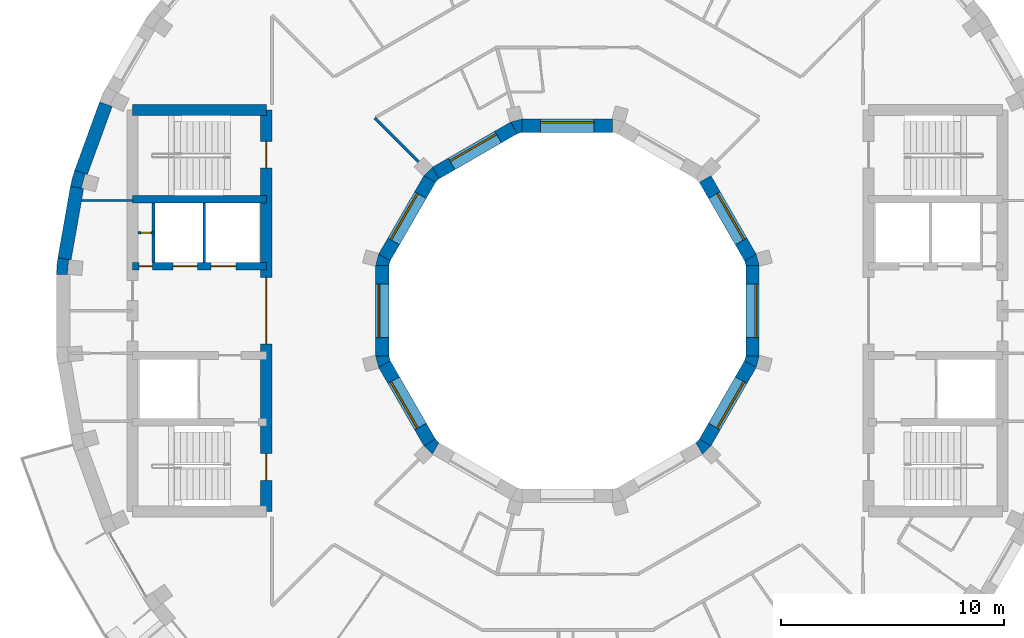
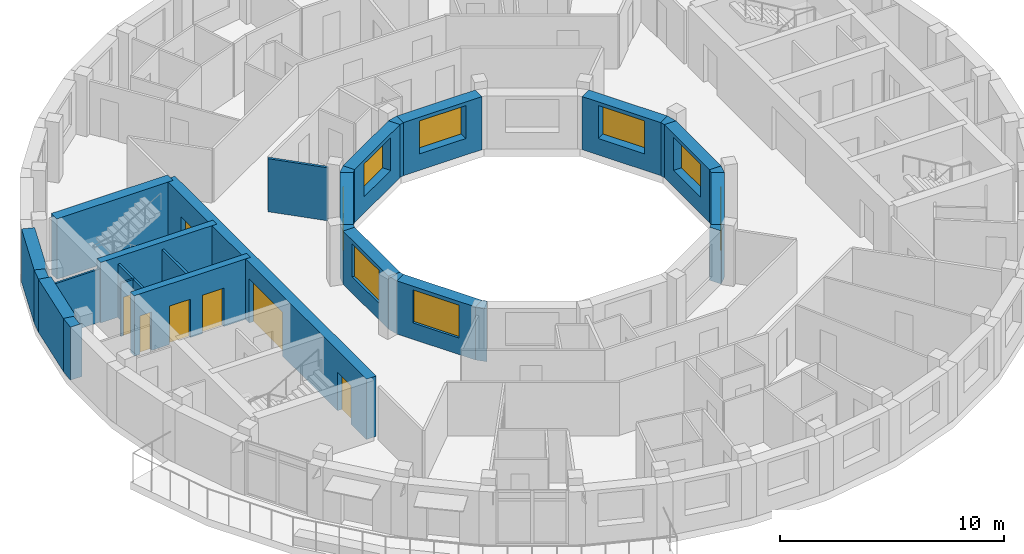
# One storey, part 6 of 12: 29 walls, 8 windows, 7 doors, 15 openings.
"""IFC4 building model written with IfcOpenShell, lengths in metres."""

from ifc_helpers import new_model, si_unit, direction, frame, frame_2d, origin, place, context, subcontext, project, spatial, polyline, rectangle, outline, extrude, material, layer, layer_set, type_object, element, fill, save


model = new_model("IFC4")

# Units and contexts
model_context = context("Model", 3, precision=1e-05, world=origin(), true_north=direction((0.0, 1.0)))
body_context = subcontext(model_context, "Body", "Model", "MODEL_VIEW")
ifc_project = project(units=[si_unit("LENGTHUNIT", "METRE"), si_unit("AREAUNIT", "SQUARE_METRE"), si_unit("VOLUMEUNIT", "CUBIC_METRE"), si_unit("PLANEANGLEUNIT", "RADIAN"), si_unit("MASSUNIT", "GRAM", prefix="KILO")], contexts=[model_context])

# Site, building, storey
site_placement = place(None, origin())
site = spatial("IfcSite", under=ifc_project, at=site_placement, CompositionType="ELEMENT")
building_placement = place(site_placement, origin())
building = spatial("IfcBuilding", under=site, at=building_placement, Name="Saqina Gate Tower", CompositionType="ELEMENT")
storey_placement = place(building_placement, frame((0.0, 0.0, 262.699951171875)))
storey = spatial("IfcBuildingStorey", under=building, at=storey_placement, Name="L75", CompositionType="ELEMENT", Elevation=262.699951171875)

# Walls
ifc_material_1 = material(Name="Brick masonry (buff)", Category="masonry")
wall_type_1 = type_object("IfcWallType", Name="BRICK PIER COPING BUFF", PredefinedType="SOLIDWALL", material=ifc_material_1)
wall_1_placement = place(storey_placement, origin())
element("IfcWall", 1, at=wall_1_placement, inside=storey, type_object=wall_type_1, Name="Pier cap L75 column 17", PredefinedType="SOLIDWALL", context=body_context, shape_type="SweptSolid", body=[
    extrude(outline(polyline([(-22.281982421875, 5.579833984375), (-21.691162109375, 5.4755859375), (-21.793212890625, 5.5029296875), (-21.625, 6.130859375), (-21.52294921875, 6.103515625), (-22.0869140625, 6.30859375), (-22.281982421875, 5.579833984375)])), origin(), (0.0, 0.0, 1.0), 2.900146484375),
])
wall_2_placement = place(storey_placement, origin())
element("IfcWall", 2, at=wall_2_placement, inside=storey, type_object=wall_type_1, Name="Pier cap L75 column 18", PredefinedType="SOLIDWALL", context=body_context, shape_type="SweptSolid", body=[
    extrude(outline(polyline([(-22.8466796875, 2.377685546875), (-22.91259765625, 1.625732421875), (-22.3125, 1.625732421875), (-22.417724609375, 1.635009765625), (-22.361083984375, 2.28271484375), (-22.255859375, 2.2734375), (-22.8466796875, 2.377685546875)])), origin(), (0.0, 0.0, 1.0), 2.900146484375),
])

# Wall, opening, door
ifc_material_2 = material(Name="Gypsum board on steel studs", Category="steel")
ifc_layer_1 = layer(ifc_material_2, 0.10009765625)
ifc_layer_set_1 = layer_set([ifc_layer_1], Name="CORE PARTITION")
wall_type_2 = type_object("IfcWallType", Name="CORE PARTITION", PredefinedType="PARTITIONING", material=ifc_layer_set_1)
wall_3_placement = place(storey_placement, frame((-18.56005859375, 3.5, 0.0), z_axis=(0.0, 0.0, 1.0), x_axis=(-1.0, 0.0, 0.0)))
wall_3 = element("IfcWall", 3, at=wall_3_placement, inside=storey, type_object=wall_type_2, Name="L75-CP-W01", PredefinedType="PARTITIONING", context=body_context, shape_type="SweptSolid", body=[
    extrude(rectangle(XDim=0.68994140625, YDim=0.10009765625, at=frame_2d((0.344970703125, 0.0))), origin(), (0.0, 0.0, 1.0), 2.900146484375),
])
opening_1_placement = place(wall_3_placement, frame((0.10009765625, 0.0, 0.0)))
opening_1 = element("IfcOpeningElement", 4, at=opening_1_placement, cuts=wall_3, Name="Opening G22-D105", PredefinedType="OPENING", context=body_context, shape_type="SweptSolid", body=[
    extrude(rectangle(XDim=0.449951171875, YDim=2.10009765625, at=frame_2d((0.22509765625, 1.050048828125))), frame((0.0, 0.06201171875, 0.0), z_axis=(0.0, -1.0, 0.0), x_axis=(1.0, 0.0, 0.0)), (0.0, 0.0, 1.0), 0.1240234375),
])
ifc_material_3 = material(Name="Steel-framed fire door leaf, EI 60", Category="steel")
door_type_1 = type_object("IfcDoorType", Name="SERVICE ROOM DOOR 450", OperationType="SINGLE_SWING_LEFT", PredefinedType="DOOR", material=ifc_material_3)
door_1_placement = place(opening_1_placement, origin())
door_1 = element("IfcDoor", 5, at=door_1_placement, inside=storey, type_object=door_type_1, Name="L75-CD-W16", OperationType="SINGLE_SWING_RIGHT", OverallHeight=2.10009765625, OverallWidth=0.449951171875, PredefinedType="DOOR", context=body_context, shape_type="SweptSolid", body=[
    extrude(rectangle(XDim=0.449951171875, YDim=2.10009765625, at=frame_2d((0.22509765625, 1.050048828125))), frame((0.0, 0.02490234375, 0.0), z_axis=(0.0, -1.0, 0.0), x_axis=(1.0, 0.0, 0.0)), (0.0, 0.0, 1.0), 0.050048828125),
])
fill(opening_1, door_1)

# Walls
wall_4_placement = place(storey_placement, frame((-19.5, 4.949951171875, 0.0), z_axis=(0.0, 0.0, 1.0), x_axis=(-1.0, 0.0, 0.0)))
element("IfcWall", 6, at=wall_4_placement, inside=storey, type_object=wall_type_2, Name="L75-CP-W02", PredefinedType="PARTITIONING", context=body_context, shape_type="SweptSolid", body=[
    extrude(rectangle(XDim=2.283935546875, YDim=0.10009765625, at=frame_2d((1.14208984375, 0.0))), origin(), (0.0, 0.0, 1.0), 2.900146484375),
])
ifc_material_4 = material(Name="Glazed ceramic tile", Category="ceramic")
ifc_layer_2 = layer(ifc_material_4, 0.60009765625)
ifc_layer_set_2 = layer_set([ifc_layer_2], Name="FW-TILE")
wall_type_3 = type_object("IfcWallType", Name="FW-TILE", PredefinedType="SOLIDWALL", material=ifc_layer_set_2)
wall_5_placement = place(storey_placement, frame((-20.692626953125, 9.26171875, 0.0), z_axis=(0.0, 0.0, 1.0), x_axis=(-0.342056509473, -0.939679383794, 0.0)))
element("IfcWall", 7, at=wall_5_placement, inside=storey, type_object=wall_type_3, Name="Facade wall L75 facet 16", PredefinedType="SOLIDWALL", context=body_context, shape_type="SweptSolid", body=[
    extrude(rectangle(XDim=3.251708984375, YDim=0.60009765625, at=frame_2d((1.6259765625, 0.0))), origin(), (0.0, 0.0, 1.0), 2.900146484375),
])
ifc_material_5 = material(Name="Glazed ceramic tile (white)", Category="ceramic")
ifc_layer_3 = layer(ifc_material_5, 0.60009765625)
ifc_layer_set_3 = layer_set([ifc_layer_3], Name="FW-TILE-WH")
wall_type_4 = type_object("IfcWallType", Name="FW-TILE-WH", PredefinedType="SOLIDWALL", material=ifc_layer_set_3)
wall_6_placement = place(storey_placement, frame((-21.986572265625, 5.52783203125, 0.0), z_axis=(0.0, 0.0, 1.0), x_axis=(-0.173656842178, -0.984806225186, 0.0)))
element("IfcWall", 8, at=wall_6_placement, inside=storey, type_object=wall_type_4, Name="Facade wall L75 facet 17", PredefinedType="SOLIDWALL", context=body_context, shape_type="SweptSolid", body=[
    extrude(rectangle(XDim=3.251708984375, YDim=0.60009765625, at=frame_2d((1.6259765625, 0.0))), origin(), (0.0, 0.0, 1.0), 2.900146484375),
])

# Wall, opening, window
ifc_material_6 = material(Name="Glazed ceramic tile", Category="ceramic")
ifc_layer_4 = layer(ifc_material_6, 0.60009765625)
ifc_layer_set_4 = layer_set([ifc_layer_4], Name="IW-TILE")
wall_type_5 = type_object("IfcWallType", Name="IW-TILE", PredefinedType="SOLIDWALL", material=ifc_layer_set_4)
wall_7_placement = place(storey_placement, frame((8.20263671875, 2.392578125, 0.0), z_axis=(0.0, 0.0, 1.0), x_axis=(-0.499994954979, 0.866028316509, 0.0)))
wall_7 = element("IfcWall", 9, at=wall_7_placement, inside=storey, type_object=wall_type_5, Name="Well wall L75 facet 1", PredefinedType="SOLIDWALL", context=body_context, shape_type="SweptSolid", body=[
    extrude(rectangle(XDim=4.05859375, YDim=0.60009765625, at=frame_2d((2.029296875, 0.0))), origin(), (0.0, 0.0, 1.0), 2.900146484375),
])
opening_2_placement = place(wall_7_placement, frame((0.829345703125, 0.0, 0.89990234375)))
opening_2 = element("IfcOpeningElement", 10, at=opening_2_placement, cuts=wall_7, Name="Opening G22-W23", PredefinedType="OPENING", context=body_context, shape_type="SweptSolid", body=[
    extrude(rectangle(XDim=2.39990234375, YDim=1.800048828125, at=frame_2d((1.199951171875, 0.89990234375))), frame((0.0, 0.31201171875, 0.0), z_axis=(0.0, -1.0, 0.0), x_axis=(1.0, 0.0, 0.0)), (0.0, 0.0, 1.0), 0.6240234375),
])
ifc_material_7 = material(Name="Aluminium glazing", Category="aluminium")
window_type = type_object("IfcWindowType", Name="WN-W", PartitioningType="SINGLE_PANEL", PredefinedType="WINDOW", material=ifc_material_7)
window_1_placement = place(opening_2_placement, origin())
window_1 = element("IfcWindow", 11, at=window_1_placement, inside=storey, type_object=window_type, Name="Well window L75 facet 1", OverallHeight=1.800048828125, OverallWidth=2.39990234375, PartitioningType="SINGLE_PANEL", PredefinedType="WINDOW", context=body_context, shape_type="SweptSolid", body=[
    extrude(rectangle(XDim=2.39990234375, YDim=1.800048828125, at=frame_2d((1.199951171875, 0.89990234375))), frame((0.0, -0.119873046875, 0.0), z_axis=(0.0, -1.0, 0.0), x_axis=(1.0, 0.0, 0.0)), (0.0, 0.0, 1.0), 0.06005859375),
])
fill(opening_2, window_1)

wall_8_placement = place(storey_placement, frame((2.029296875, 8.300048828125, 0.0), z_axis=(0.0, 0.0, 1.0), x_axis=(-1.0, 0.0, 0.0)))
wall_8 = element("IfcWall", 12, at=wall_8_placement, inside=storey, type_object=wall_type_5, Name="Well wall L75 facet 3", PredefinedType="SOLIDWALL", context=body_context, shape_type="SweptSolid", body=[
    extrude(rectangle(XDim=4.05859375, YDim=0.60009765625, at=frame_2d((2.029296875, 0.0))), origin(), (0.0, 0.0, 1.0), 2.900146484375),
])
opening_3_placement = place(wall_8_placement, frame((0.829345703125, 0.0, 0.89990234375)))
opening_3 = element("IfcOpeningElement", 13, at=opening_3_placement, cuts=wall_8, Name="Opening G22-W25", PredefinedType="OPENING", context=body_context, shape_type="SweptSolid", body=[
    extrude(rectangle(XDim=2.39990234375, YDim=1.800048828125, at=frame_2d((1.199951171875, 0.89990234375))), frame((0.0, 0.31201171875, 0.0), z_axis=(0.0, -1.0, 0.0), x_axis=(1.0, 0.0, 0.0)), (0.0, 0.0, 1.0), 0.6240234375),
])
window_2_placement = place(opening_3_placement, origin())
window_2 = element("IfcWindow", 14, at=window_2_placement, inside=storey, type_object=window_type, Name="Well window L75 facet 3", OverallHeight=1.800048828125, OverallWidth=2.39990234375, PartitioningType="SINGLE_PANEL", PredefinedType="WINDOW", context=body_context, shape_type="SweptSolid", body=[
    extrude(rectangle(XDim=2.39990234375, YDim=1.800048828125, at=frame_2d((1.199951171875, 0.89990234375))), frame((0.0, -0.119873046875, 0.0), z_axis=(0.0, -1.0, 0.0), x_axis=(1.0, 0.0, 0.0)), (0.0, 0.0, 1.0), 0.06005859375),
])
fill(opening_3, window_2)

wall_9_placement = place(storey_placement, frame((-2.392578125, 8.20263671875, 0.0), z_axis=(0.0, 0.0, 1.0), x_axis=(-0.866028316509, -0.499994954979, 0.0)))
wall_9 = element("IfcWall", 15, at=wall_9_placement, inside=storey, type_object=wall_type_5, Name="Well wall L75 facet 4", PredefinedType="SOLIDWALL", context=body_context, shape_type="SweptSolid", body=[
    extrude(rectangle(XDim=4.05859375, YDim=0.60009765625, at=frame_2d((2.029296875, 0.0))), origin(), (0.0, 0.0, 1.0), 2.900146484375),
])
opening_4_placement = place(wall_9_placement, frame((0.829345703125, 0.0, 0.89990234375)))
opening_4 = element("IfcOpeningElement", 16, at=opening_4_placement, cuts=wall_9, Name="Opening G22-W26", PredefinedType="OPENING", context=body_context, shape_type="SweptSolid", body=[
    extrude(rectangle(XDim=2.39990234375, YDim=1.800048828125, at=frame_2d((1.199951171875, 0.89990234375))), frame((0.0, 0.31201171875, 0.0), z_axis=(0.0, -1.0, 0.0), x_axis=(1.0, 0.0, 0.0)), (0.0, 0.0, 1.0), 0.6240234375),
])
window_3_placement = place(opening_4_placement, origin())
window_3 = element("IfcWindow", 17, at=window_3_placement, inside=storey, type_object=window_type, Name="Well window L75 facet 4", OverallHeight=1.800048828125, OverallWidth=2.39990234375, PartitioningType="SINGLE_PANEL", PredefinedType="WINDOW", context=body_context, shape_type="SweptSolid", body=[
    extrude(rectangle(XDim=2.39990234375, YDim=1.800048828125, at=frame_2d((1.199951171875, 0.89990234375))), frame((0.0, -0.119873046875, 0.0), z_axis=(0.0, -1.0, 0.0), x_axis=(1.0, 0.0, 0.0)), (0.0, 0.0, 1.0), 0.06005859375),
])
fill(opening_4, window_3)

wall_10_placement = place(storey_placement, frame((-6.17333984375, 5.907470703125, 0.0), z_axis=(0.0, 0.0, 1.0), x_axis=(-0.499994954979, -0.866028316509, 0.0)))
wall_10 = element("IfcWall", 18, at=wall_10_placement, inside=storey, type_object=wall_type_5, Name="Well wall L75 facet 5", PredefinedType="SOLIDWALL", context=body_context, shape_type="SweptSolid", body=[
    extrude(rectangle(XDim=4.05859375, YDim=0.60009765625, at=frame_2d((2.029296875, 0.0))), origin(), (0.0, 0.0, 1.0), 2.900146484375),
])
opening_5_placement = place(wall_10_placement, frame((0.829345703125, 0.0, 0.89990234375)))
opening_5 = element("IfcOpeningElement", 19, at=opening_5_placement, cuts=wall_10, Name="Opening G22-W27", PredefinedType="OPENING", context=body_context, shape_type="SweptSolid", body=[
    extrude(rectangle(XDim=2.39990234375, YDim=1.800048828125, at=frame_2d((1.199951171875, 0.89990234375))), frame((0.0, 0.31201171875, 0.0), z_axis=(0.0, -1.0, 0.0), x_axis=(1.0, 0.0, 0.0)), (0.0, 0.0, 1.0), 0.6240234375),
])
window_4_placement = place(opening_5_placement, origin())
window_4 = element("IfcWindow", 20, at=window_4_placement, inside=storey, type_object=window_type, Name="Well window L75 facet 5", OverallHeight=1.800048828125, OverallWidth=2.39990234375, PartitioningType="SINGLE_PANEL", PredefinedType="WINDOW", context=body_context, shape_type="SweptSolid", body=[
    extrude(rectangle(XDim=2.39990234375, YDim=1.800048828125, at=frame_2d((1.199951171875, 0.89990234375))), frame((0.0, -0.119873046875, 0.0), z_axis=(0.0, -1.0, 0.0), x_axis=(1.0, 0.0, 0.0)), (0.0, 0.0, 1.0), 0.06005859375),
])
fill(opening_5, window_4)

wall_11_placement = place(storey_placement, frame((-8.300048828125, 2.029296875, 0.0), z_axis=(0.0, 0.0, 1.0), x_axis=(0.0, -1.0, 0.0)))
wall_11 = element("IfcWall", 21, at=wall_11_placement, inside=storey, type_object=wall_type_5, Name="Well wall L75 facet 6", PredefinedType="SOLIDWALL", context=body_context, shape_type="SweptSolid", body=[
    extrude(rectangle(XDim=4.05859375, YDim=0.60009765625, at=frame_2d((2.029296875, 0.0))), origin(), (0.0, 0.0, 1.0), 2.900146484375),
])
opening_6_placement = place(wall_11_placement, frame((0.829345703125, 0.0, 0.89990234375)))
opening_6 = element("IfcOpeningElement", 22, at=opening_6_placement, cuts=wall_11, Name="Opening G22-W28", PredefinedType="OPENING", context=body_context, shape_type="SweptSolid", body=[
    extrude(rectangle(XDim=2.39990234375, YDim=1.800048828125, at=frame_2d((1.199951171875, 0.89990234375))), frame((0.0, 0.31201171875, 0.0), z_axis=(0.0, -1.0, 0.0), x_axis=(1.0, 0.0, 0.0)), (0.0, 0.0, 1.0), 0.6240234375),
])
window_5_placement = place(opening_6_placement, origin())
window_5 = element("IfcWindow", 23, at=window_5_placement, inside=storey, type_object=window_type, Name="Well window L75 facet 6", OverallHeight=1.800048828125, OverallWidth=2.39990234375, PartitioningType="SINGLE_PANEL", PredefinedType="WINDOW", context=body_context, shape_type="SweptSolid", body=[
    extrude(rectangle(XDim=2.39990234375, YDim=1.800048828125, at=frame_2d((1.199951171875, 0.89990234375))), frame((0.0, -0.119873046875, 0.0), z_axis=(0.0, -1.0, 0.0), x_axis=(1.0, 0.0, 0.0)), (0.0, 0.0, 1.0), 0.06005859375),
])
fill(opening_6, window_5)

wall_12_placement = place(storey_placement, frame((-8.20263671875, -2.392578125, 0.0), z_axis=(0.0, 0.0, 1.0), x_axis=(0.499994954979, -0.866028316509, 0.0)))
wall_12 = element("IfcWall", 24, at=wall_12_placement, inside=storey, type_object=wall_type_5, Name="Well wall L75 facet 7", PredefinedType="SOLIDWALL", context=body_context, shape_type="SweptSolid", body=[
    extrude(rectangle(XDim=4.05859375, YDim=0.60009765625, at=frame_2d((2.029296875, 0.0))), origin(), (0.0, 0.0, 1.0), 2.900146484375),
])
opening_7_placement = place(wall_12_placement, frame((0.829345703125, 0.0, 0.89990234375)))
opening_7 = element("IfcOpeningElement", 25, at=opening_7_placement, cuts=wall_12, Name="Opening G22-W29", PredefinedType="OPENING", context=body_context, shape_type="SweptSolid", body=[
    extrude(rectangle(XDim=2.39990234375, YDim=1.800048828125, at=frame_2d((1.199951171875, 0.89990234375))), frame((0.0, 0.31201171875, 0.0), z_axis=(0.0, -1.0, 0.0), x_axis=(1.0, 0.0, 0.0)), (0.0, 0.0, 1.0), 0.6240234375),
])
window_6_placement = place(opening_7_placement, origin())
window_6 = element("IfcWindow", 26, at=window_6_placement, inside=storey, type_object=window_type, Name="Well window L75 facet 7", OverallHeight=1.800048828125, OverallWidth=2.39990234375, PartitioningType="SINGLE_PANEL", PredefinedType="WINDOW", context=body_context, shape_type="SweptSolid", body=[
    extrude(rectangle(XDim=2.39990234375, YDim=1.800048828125, at=frame_2d((1.199951171875, 0.89990234375))), frame((0.0, -0.119873046875, 0.0), z_axis=(0.0, -1.0, 0.0), x_axis=(1.0, 0.0, 0.0)), (0.0, 0.0, 1.0), 0.06005859375),
])
fill(opening_7, window_6)

wall_13_placement = place(storey_placement, frame((6.17333984375, -5.907470703125, 0.0), z_axis=(0.0, 0.0, 1.0), x_axis=(0.499994954979, 0.866028316509, 0.0)))
wall_13 = element("IfcWall", 27, at=wall_13_placement, inside=storey, type_object=wall_type_5, Name="Well wall L75 facet 11", PredefinedType="SOLIDWALL", context=body_context, shape_type="SweptSolid", body=[
    extrude(rectangle(XDim=4.05859375, YDim=0.60009765625, at=frame_2d((2.029296875, 0.0))), origin(), (0.0, 0.0, 1.0), 2.900146484375),
])
opening_8_placement = place(wall_13_placement, frame((0.829345703125, 0.0, 0.89990234375)))
opening_8 = element("IfcOpeningElement", 28, at=opening_8_placement, cuts=wall_13, Name="Opening G22-W33", PredefinedType="OPENING", context=body_context, shape_type="SweptSolid", body=[
    extrude(rectangle(XDim=2.39990234375, YDim=1.800048828125, at=frame_2d((1.199951171875, 0.89990234375))), frame((0.0, 0.31201171875, 0.0), z_axis=(0.0, -1.0, 0.0), x_axis=(1.0, 0.0, 0.0)), (0.0, 0.0, 1.0), 0.6240234375),
])
window_7_placement = place(opening_8_placement, origin())
window_7 = element("IfcWindow", 29, at=window_7_placement, inside=storey, type_object=window_type, Name="Well window L75 facet 11", OverallHeight=1.800048828125, OverallWidth=2.39990234375, PartitioningType="SINGLE_PANEL", PredefinedType="WINDOW", context=body_context, shape_type="SweptSolid", body=[
    extrude(rectangle(XDim=2.39990234375, YDim=1.800048828125, at=frame_2d((1.199951171875, 0.89990234375))), frame((0.0, -0.119873046875, 0.0), z_axis=(0.0, -1.0, 0.0), x_axis=(1.0, 0.0, 0.0)), (0.0, 0.0, 1.0), 0.06005859375),
])
fill(opening_8, window_7)

wall_14_placement = place(storey_placement, frame((8.300048828125, -2.029296875, 0.0), z_axis=(0.0, 0.0, 1.0), x_axis=(0.0, 1.0, 0.0)))
wall_14 = element("IfcWall", 30, at=wall_14_placement, inside=storey, type_object=wall_type_5, Name="Well wall L75 facet 12", PredefinedType="SOLIDWALL", context=body_context, shape_type="SweptSolid", body=[
    extrude(rectangle(XDim=4.05859375, YDim=0.60009765625, at=frame_2d((2.029296875, 0.0))), origin(), (0.0, 0.0, 1.0), 2.900146484375),
])
opening_9_placement = place(wall_14_placement, frame((0.829345703125, 0.0, 0.89990234375)))
opening_9 = element("IfcOpeningElement", 31, at=opening_9_placement, cuts=wall_14, Name="Opening G22-W34", PredefinedType="OPENING", context=body_context, shape_type="SweptSolid", body=[
    extrude(rectangle(XDim=2.39990234375, YDim=1.800048828125, at=frame_2d((1.199951171875, 0.89990234375))), frame((0.0, 0.31201171875, 0.0), z_axis=(0.0, -1.0, 0.0), x_axis=(1.0, 0.0, 0.0)), (0.0, 0.0, 1.0), 0.6240234375),
])
window_8_placement = place(opening_9_placement, origin())
window_8 = element("IfcWindow", 32, at=window_8_placement, inside=storey, type_object=window_type, Name="Well window L75 facet 12", OverallHeight=1.800048828125, OverallWidth=2.39990234375, PartitioningType="SINGLE_PANEL", PredefinedType="WINDOW", context=body_context, shape_type="SweptSolid", body=[
    extrude(rectangle(XDim=2.39990234375, YDim=1.800048828125, at=frame_2d((1.199951171875, 0.89990234375))), frame((0.0, -0.119873046875, 0.0), z_axis=(0.0, -1.0, 0.0), x_axis=(1.0, 0.0, 0.0)), (0.0, 0.0, 1.0), 0.06005859375),
])
fill(opening_9, window_8)

# Walls
ifc_material_8 = material(Name="Gypsum board on steel studs, 125 mm, fire rated", Category="steel")
ifc_layer_5 = layer(ifc_material_8, 0.125)
ifc_layer_set_5 = layer_set([ifc_layer_5], Name="PARTITION EI 30 125")
wall_type_6 = type_object("IfcWallType", Name="PARTITION EI 30 125", PredefinedType="PARTITIONING", material=ifc_layer_set_5)
wall_15_placement = place(storey_placement, frame((-8.64599609375, 8.64599609375, 0.0), z_axis=(0.0, 0.0, 1.0), x_axis=(0.707106781187, -0.707106781187, 0.0)))
element("IfcWall", 33, at=wall_15_placement, inside=storey, type_object=wall_type_6, Name="PARTITION PW1-05", PredefinedType="PARTITIONING", context=body_context, shape_type="SweptSolid", body=[
    extrude(rectangle(XDim=2.784912109375, YDim=0.125, at=frame_2d((1.392578125, 0.0))), origin(), (0.0, 0.0, 1.0), 2.900146484375),
])
ifc_material_9 = material(Name="Autoclaved aerated concrete block", Category="concrete")
ifc_layer_6 = layer(ifc_material_9, 0.1201171875)
ifc_layer_set_6 = layer_set([ifc_layer_6], Name="SHAFT PARTITION")
wall_type_7 = type_object("IfcWallType", Name="SHAFT PARTITION", PredefinedType="PARTITIONING", material=ifc_layer_set_6)
for number, where, z_axis, x_axis, name in (
    (34, (-16.280029296875, 2.175048828125, 0.0), (0.0, 0.0, 1.0), (0.0, 1.0, 0.0), "L75-CP-W06"),
    (35, (-18.56005859375, 2.175048828125, 0.0), (0.0, 0.0, 1.0), (0.0, 1.0, 0.0), "L75-CP-W07"),
):
    element("IfcWall", number, at=place(storey_placement, frame(where, z_axis=z_axis, x_axis=x_axis)), inside=storey, type_object=wall_type_7, Name=name, PredefinedType="PARTITIONING", context=body_context, shape_type="SweptSolid", body=[
        extrude(rectangle(XDim=2.64990234375, YDim=0.1201171875, at=frame_2d((1.324951171875, 0.0))), origin(), (0.0, 0.0, 1.0), 2.900146484375),
    ])
ifc_material_10 = material(Name="Concrete C60/75", Category="concrete")
ifc_layer_7 = layer(ifc_material_10, 0.35009765625)
ifc_layer_set_7 = layer_set([ifc_layer_7], Name="Concrete C60/75")
wall_type_8 = type_object("IfcWallType", Name="STR-CORE WALL-D-I", PredefinedType="SHEAR", material=ifc_layer_set_7)
wall_16_placement = place(storey_placement, frame((-13.5, 5.0, 0.0), z_axis=(0.0, 0.0, 1.0), x_axis=(-1.0, 0.0, 0.0)))
element("IfcWall", 36, at=wall_16_placement, inside=storey, type_object=wall_type_8, Name="CORE WALL L75 W-X1", PredefinedType="SHEAR", context=body_context, shape_type="SweptSolid", body=[
    extrude(rectangle(XDim=6.0, YDim=0.35009765625, at=frame_2d((3.0, 0.0))), origin(), (0.0, 0.0, 1.0), 3.300048828125),
])

# Wall, openings, doors
wall_17_placement = place(storey_placement, frame((-13.5, 2.0, 0.0), z_axis=(0.0, 0.0, 1.0), x_axis=(-1.0, 0.0, 0.0)))
wall_17 = element("IfcWall", 37, at=wall_17_placement, inside=storey, type_object=wall_type_8, Name="CORE WALL L75 W-L1", PredefinedType="SHEAR", context=body_context, shape_type="SweptSolid", body=[
    extrude(rectangle(XDim=6.0, YDim=0.35009765625, at=frame_2d((3.0, 0.0))), origin(), (0.0, 0.0, 1.0), 3.300048828125),
])
opening_10_placement = place(wall_17_placement, frame((1.3701171875, 0.0, 0.0)))
opening_10 = element("IfcOpeningElement", 38, at=opening_10_placement, cuts=wall_17, Name="Opening G22-LD4", PredefinedType="OPENING", context=body_context, shape_type="SweptSolid", body=[
    extrude(rectangle(XDim=1.10009765625, YDim=2.10009765625, at=frame_2d((0.550048828125, 1.050048828125))), frame((0.0, 0.18701171875, 0.0), z_axis=(0.0, -1.0, 0.0), x_axis=(1.0, 0.0, 0.0)), (0.0, 0.0, 1.0), 0.3740234375),
])
opening_11_placement = place(wall_17_placement, frame((3.090087890625, 0.0, 0.0)))
opening_11 = element("IfcOpeningElement", 39, at=opening_11_placement, cuts=wall_17, Name="Opening G22-LD5", PredefinedType="OPENING", context=body_context, shape_type="SweptSolid", body=[
    extrude(rectangle(XDim=1.10009765625, YDim=2.10009765625, at=frame_2d((0.550048828125, 1.050048828125))), frame((0.0, 0.18701171875, 0.0), z_axis=(0.0, -1.0, 0.0), x_axis=(1.0, 0.0, 0.0)), (0.0, 0.0, 1.0), 0.3740234375),
])
opening_12_placement = place(wall_17_placement, frame((5.10498046875, 0.0, 0.0)))
opening_12 = element("IfcOpeningElement", 40, at=opening_12_placement, cuts=wall_17, Name="Opening G22-D100", PredefinedType="OPENING", context=body_context, shape_type="SweptSolid", body=[
    extrude(rectangle(XDim=0.60009765625, YDim=2.10009765625, at=frame_2d((0.300048828125, 1.050048828125))), frame((0.0, 0.18701171875, 0.0), z_axis=(0.0, -1.0, 0.0), x_axis=(1.0, 0.0, 0.0)), (0.0, 0.0, 1.0), 0.3740234375),
])
ifc_material_11 = material(Name="Stainless steel", Category="steel")
door_type_2 = type_object("IfcDoorType", Name="LANDING DOOR", OperationType="DOUBLE_DOOR_SLIDING", PredefinedType="DOOR", material=ifc_material_11)
door_2_placement = place(opening_10_placement, origin())
door_2 = element("IfcDoor", 41, at=door_2_placement, inside=storey, type_object=door_type_2, Name="LANDING DOOR HR3", OperationType="DOUBLE_DOOR_SLIDING", OverallHeight=2.10009765625, OverallWidth=1.10009765625, PredefinedType="DOOR", context=body_context, shape_type="SweptSolid", body=[
    extrude(rectangle(XDim=1.10009765625, YDim=2.10009765625, at=frame_2d((0.550048828125, 1.050048828125))), frame((0.0, 0.02490234375, 0.0), z_axis=(0.0, -1.0, 0.0), x_axis=(1.0, 0.0, 0.0)), (0.0, 0.0, 1.0), 0.050048828125),
])
fill(opening_10, door_2)
door_3_placement = place(opening_11_placement, origin())
door_3 = element("IfcDoor", 42, at=door_3_placement, inside=storey, type_object=door_type_2, Name="LANDING DOOR HR4", OperationType="DOUBLE_DOOR_SLIDING", OverallHeight=2.10009765625, OverallWidth=1.10009765625, PredefinedType="DOOR", context=body_context, shape_type="SweptSolid", body=[
    extrude(rectangle(XDim=1.10009765625, YDim=2.10009765625, at=frame_2d((0.550048828125, 1.050048828125))), frame((0.0, 0.02490234375, 0.0), z_axis=(0.0, -1.0, 0.0), x_axis=(1.0, 0.0, 0.0)), (0.0, 0.0, 1.0), 0.050048828125),
])
fill(opening_11, door_3)
ifc_material_12 = material(Name="Steel-framed fire door leaf, EI 60", Category="steel")
door_type_3 = type_object("IfcDoorType", Name="SERVICE ROOM DOOR 600", OperationType="SINGLE_SWING_LEFT", PredefinedType="DOOR", material=ifc_material_12)
door_4_placement = place(opening_12_placement, frame((0.60009765625, 0.0, 0.0), z_axis=(0.0, 0.0, 1.0), x_axis=(-1.0, 0.0, 0.0)))
door_4 = element("IfcDoor", 43, at=door_4_placement, inside=storey, type_object=door_type_3, Name="L75-CD-W11", OperationType="SINGLE_SWING_LEFT", OverallHeight=2.10009765625, OverallWidth=0.60009765625, PredefinedType="DOOR", context=body_context, shape_type="SweptSolid", body=[
    extrude(rectangle(XDim=0.60009765625, YDim=2.10009765625, at=frame_2d((0.300048828125, 1.050048828125))), frame((0.0, 0.02490234375, 0.0), z_axis=(0.0, -1.0, 0.0), x_axis=(1.0, 0.0, 0.0)), (0.0, 0.0, 1.0), 0.050048828125),
])
fill(opening_12, door_4)

ifc_material_13 = material(Name="Concrete C60/75", Category="concrete")
ifc_layer_8 = layer(ifc_material_13, 0.5)
ifc_layer_set_8 = layer_set([ifc_layer_8], Name="Concrete C60/75")
wall_type_9 = type_object("IfcWallType", Name="STR-CORE WALL-D-O", PredefinedType="SHEAR", material=ifc_layer_set_8)
wall_18_placement = place(storey_placement, frame((-13.5, -9.0, 0.0), z_axis=(0.0, 0.0, 1.0), x_axis=(0.0, 1.0, 0.0)))
wall_18 = element("IfcWall", 44, at=wall_18_placement, inside=storey, type_object=wall_type_9, Name="CORE WALL L75 W-W1", PredefinedType="SHEAR", context=body_context, shape_type="SweptSolid", body=[
    extrude(rectangle(XDim=18.0, YDim=0.5, at=frame_2d((9.0, 0.0))), origin(), (0.0, 0.0, 1.0), 3.300048828125),
])
opening_13_placement = place(wall_18_placement, frame((15.39990234375, 0.0, 0.0)))
opening_13 = element("IfcOpeningElement", 45, at=opening_13_placement, cuts=wall_18, Name="Opening G22-D107", PredefinedType="OPENING", context=body_context, shape_type="SweptSolid", body=[
    extrude(rectangle(XDim=1.199951171875, YDim=2.10009765625, at=frame_2d((0.60009765625, 1.050048828125))), frame((0.0, 0.261962890625, 0.0), z_axis=(0.0, -1.0, 0.0), x_axis=(1.0, 0.0, 0.0)), (0.0, 0.0, 1.0), 0.52392578125),
])
opening_14_placement = place(wall_18_placement, frame((1.39990234375, 0.0, 0.0)))
opening_14 = element("IfcOpeningElement", 46, at=opening_14_placement, cuts=wall_18, Name="Opening G22-D108", PredefinedType="OPENING", context=body_context, shape_type="SweptSolid", body=[
    extrude(rectangle(XDim=1.199951171875, YDim=2.10009765625, at=frame_2d((0.60009765625, 1.050048828125))), frame((0.0, 0.261962890625, 0.0), z_axis=(0.0, -1.0, 0.0), x_axis=(1.0, 0.0, 0.0)), (0.0, 0.0, 1.0), 0.52392578125),
])
opening_15_placement = place(wall_18_placement, frame((7.5, 0.0, 0.0)))
opening_15 = element("IfcOpeningElement", 47, at=opening_15_placement, cuts=wall_18, Name="Opening G22-D109", PredefinedType="OPENING", context=body_context, shape_type="SweptSolid", body=[
    extrude(rectangle(XDim=3.0, YDim=2.39990234375, at=frame_2d((1.5, 1.199951171875))), frame((0.0, 0.261962890625, 0.0), z_axis=(0.0, -1.0, 0.0), x_axis=(1.0, 0.0, 0.0)), (0.0, 0.0, 1.0), 0.52392578125),
])
ifc_material_14 = material(Name="Steel", Category="steel")
door_type_4 = type_object("IfcDoorType", Name="FIRE DOOR EI 60", OperationType="SINGLE_SWING_LEFT", PredefinedType="DOOR", material=ifc_material_14)
door_5_placement = place(opening_13_placement, origin())
door_5 = element("IfcDoor", 48, at=door_5_placement, inside=storey, type_object=door_type_4, Name="L75-CD-W18", OperationType="SINGLE_SWING_RIGHT", OverallHeight=2.10009765625, OverallWidth=1.199951171875, PredefinedType="DOOR", context=body_context, shape_type="SweptSolid", body=[
    extrude(rectangle(XDim=1.199951171875, YDim=2.10009765625, at=frame_2d((0.60009765625, 1.050048828125))), frame((0.0, 0.02490234375, 0.0), z_axis=(0.0, -1.0, 0.0), x_axis=(1.0, 0.0, 0.0)), (0.0, 0.0, 1.0), 0.050048828125),
])
fill(opening_13, door_5)
door_6_placement = place(opening_14_placement, origin())
door_6 = element("IfcDoor", 49, at=door_6_placement, inside=storey, type_object=door_type_4, Name="L75-CD-W19", OperationType="SINGLE_SWING_LEFT", OverallHeight=2.10009765625, OverallWidth=1.199951171875, PredefinedType="DOOR", context=body_context, shape_type="SweptSolid", body=[
    extrude(rectangle(XDim=1.199951171875, YDim=2.10009765625, at=frame_2d((0.60009765625, 1.050048828125))), frame((0.0, 0.02490234375, 0.0), z_axis=(0.0, -1.0, 0.0), x_axis=(1.0, 0.0, 0.0)), (0.0, 0.0, 1.0), 0.050048828125),
])
fill(opening_14, door_6)
ifc_material_15 = material(Name="Steel and fire-resisting glass", Category="steel")
door_type_5 = type_object("IfcDoorType", Name="LOBBY SCREEN DOOR", OperationType="DOUBLE_DOOR_SLIDING", PredefinedType="DOOR", material=ifc_material_15)
door_7_placement = place(opening_15_placement, origin())
door_7 = element("IfcDoor", 50, at=door_7_placement, inside=storey, type_object=door_type_5, Name="L75-CD-W20", OperationType="DOUBLE_DOOR_SLIDING", OverallHeight=2.39990234375, OverallWidth=3.0, PredefinedType="DOOR", context=body_context, shape_type="SweptSolid", body=[
    extrude(rectangle(XDim=3.0, YDim=2.39990234375, at=frame_2d((1.5, 1.199951171875))), frame((0.0, 0.02490234375, 0.0), z_axis=(0.0, -1.0, 0.0), x_axis=(1.0, 0.0, 0.0)), (0.0, 0.0, 1.0), 0.050048828125),
])
fill(opening_15, door_7)

# Walls
wall_19_placement = place(storey_placement, frame((-13.5, 9.0, 0.0), z_axis=(0.0, 0.0, 1.0), x_axis=(-1.0, 0.0, 0.0)))
element("IfcWall", 51, at=wall_19_placement, inside=storey, type_object=wall_type_9, Name="CORE WALL L75 W-NE", PredefinedType="SHEAR", context=body_context, shape_type="SweptSolid", body=[
    extrude(rectangle(XDim=6.0, YDim=0.5, at=frame_2d((3.0, 0.0))), origin(), (0.0, 0.0, 1.0), 3.300048828125),
])
ifc_material_16 = material(Name="Glazed ceramic tile", Category="ceramic")
wall_type_10 = type_object("IfcWallType", Name="TILE PIER COPING", PredefinedType="SOLIDWALL", material=ifc_material_16)
wall_20_placement = place(storey_placement, origin())
element("IfcWall", 52, at=wall_20_placement, inside=storey, type_object=wall_type_10, Name="Well pier cap L75 column 1", PredefinedType="SOLIDWALL", context=body_context, shape_type="SweptSolid", body=[
    extrude(outline(polyline([(8.46240234375, 2.54248046875), (7.94287109375, 2.242431640625), (8.0, 2.029296875), (8.60009765625, 2.029296875), (8.46240234375, 2.54248046875)])), origin(), (0.0, 0.0, 1.0), 2.900146484375),
])
wall_21_placement = place(storey_placement, origin())
element("IfcWall", 53, at=wall_21_placement, inside=storey, type_object=wall_type_10, Name="Well pier cap L75 column 4", PredefinedType="SOLIDWALL", context=body_context, shape_type="SweptSolid", body=[
    extrude(outline(polyline([(-2.54248046875, 8.46240234375), (-2.242431640625, 7.94287109375), (-2.029296875, 8.0), (-2.029296875, 8.60009765625), (-2.54248046875, 8.46240234375)])), origin(), (0.0, 0.0, 1.0), 2.900146484375),
])
wall_22_placement = place(storey_placement, origin())
element("IfcWall", 54, at=wall_22_placement, inside=storey, type_object=wall_type_10, Name="Well pier cap L75 column 5", PredefinedType="SOLIDWALL", context=body_context, shape_type="SweptSolid", body=[
    extrude(outline(polyline([(-6.43310546875, 6.0576171875), (-5.91357421875, 5.757568359375), (-5.757568359375, 5.91357421875), (-6.0576171875, 6.43310546875), (-6.43310546875, 6.0576171875)])), origin(), (0.0, 0.0, 1.0), 2.900146484375),
])
wall_23_placement = place(storey_placement, origin())
element("IfcWall", 55, at=wall_23_placement, inside=storey, type_object=wall_type_10, Name="Well pier cap L75 column 6", PredefinedType="SOLIDWALL", context=body_context, shape_type="SweptSolid", body=[
    extrude(outline(polyline([(-8.60009765625, 2.029296875), (-8.0, 2.029296875), (-7.94287109375, 2.242431640625), (-8.46240234375, 2.54248046875), (-8.60009765625, 2.029296875)])), origin(), (0.0, 0.0, 1.0), 2.900146484375),
])
wall_24_placement = place(storey_placement, origin())
element("IfcWall", 56, at=wall_24_placement, inside=storey, type_object=wall_type_10, Name="Well pier cap L75 column 7", PredefinedType="SOLIDWALL", context=body_context, shape_type="SweptSolid", body=[
    extrude(outline(polyline([(-8.46240234375, -2.54248046875), (-7.94287109375, -2.242431640625), (-8.0, -2.029296875), (-8.60009765625, -2.029296875), (-8.46240234375, -2.54248046875)])), origin(), (0.0, 0.0, 1.0), 2.900146484375),
])
wall_25_placement = place(storey_placement, origin())
element("IfcWall", 57, at=wall_25_placement, inside=storey, type_object=wall_type_10, Name="Well pier cap L75 column 8", PredefinedType="SOLIDWALL", context=body_context, shape_type="SweptSolid", body=[
    extrude(outline(polyline([(-6.0576171875, -6.43310546875), (-5.757568359375, -5.91357421875), (-5.91357421875, -5.757568359375), (-6.43310546875, -6.0576171875), (-6.0576171875, -6.43310546875)])), origin(), (0.0, 0.0, 1.0), 2.900146484375),
])
wall_26_placement = place(storey_placement, origin())
element("IfcWall", 58, at=wall_26_placement, inside=storey, type_object=wall_type_10, Name="Well pier cap L75 column 11", PredefinedType="SOLIDWALL", context=body_context, shape_type="SweptSolid", body=[
    extrude(outline(polyline([(6.43310546875, -6.0576171875), (5.91357421875, -5.757568359375), (5.757568359375, -5.91357421875), (6.0576171875, -6.43310546875), (6.43310546875, -6.0576171875)])), origin(), (0.0, 0.0, 1.0), 2.900146484375),
])
wall_27_placement = place(storey_placement, origin())
element("IfcWall", 59, at=wall_27_placement, inside=storey, type_object=wall_type_10, Name="Well pier cap L75 column 12", PredefinedType="SOLIDWALL", context=body_context, shape_type="SweptSolid", body=[
    extrude(outline(polyline([(8.60009765625, -2.029296875), (8.0, -2.029296875), (7.94287109375, -2.242431640625), (8.46240234375, -2.54248046875), (8.60009765625, -2.029296875)])), origin(), (0.0, 0.0, 1.0), 2.900146484375),
])

save(model, "model.ifc")
